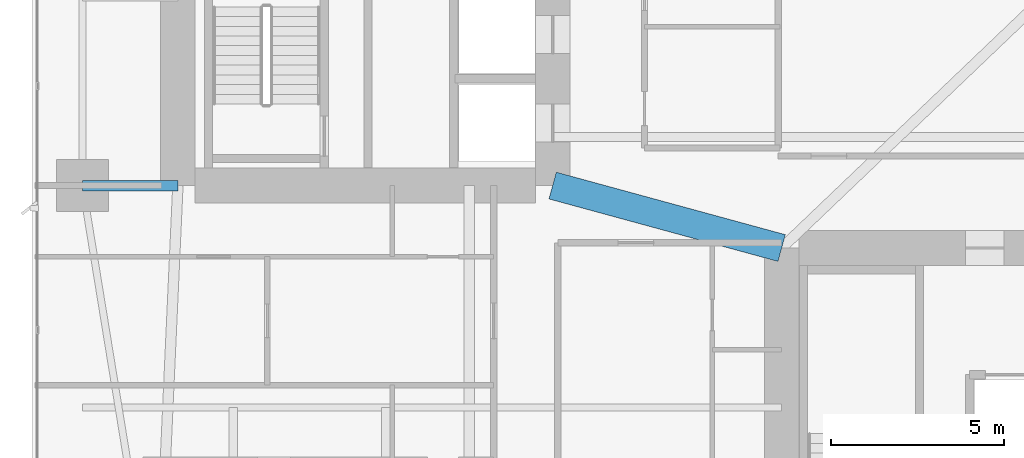
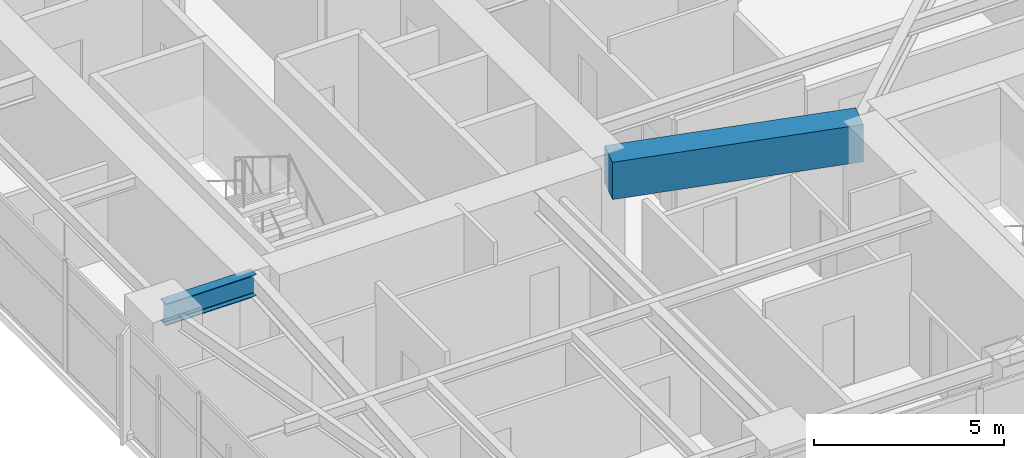
# One storey, part 7 of 29: 2 beams.
"""IFC4 building model written with IfcOpenShell, lengths in metres."""

import ifcopenshell
import ifcopenshell.guid

model = None  # the IFC model being written
_history = None  # IfcOwnerHistory: only IFC2X3 demands one
_inside = {}  # id of a spatial element -> (the spatial element, [elements in it])
_under = {}  # id of a project, library or spatial element -> (it, [spatial elements below it])
_declared = {}  # id of a project -> (the project, [libraries it declares])
_typed = {}  # id of a type object -> (the type object, [elements of that type])
_made_of = {}  # id of a material, layer set ... -> (it, [elements and type objects made of it])


def new_model(schema):
    """Start an empty IFC model of exactly this schema.

    Asked for "IFC4X3", IfcOpenShell would pick the latest addendum, in which some entities
    have other attributes; the version numbers below select the first issue.
    IFC2X3 requires an IfcOwnerHistory on every rooted entity: one is made here for all.
    """
    global model, _history
    if schema == "IFC4X3":
        model = ifcopenshell.file(schema_version=(4, 3, 0, 0))
    else:
        model = ifcopenshell.file(schema=schema)
    _inside.clear()
    _under.clear()
    _declared.clear()
    _typed.clear()
    _made_of.clear()
    _history = None
    if model.schema == "IFC2X3":
        org = make("IfcOrganization", Name="unknown")
        user = make(
            "IfcPersonAndOrganization",
            ThePerson=make("IfcPerson", FamilyName="unknown"),
            TheOrganization=org,
        )
        app = make(
            "IfcApplication",
            ApplicationDeveloper=org,
            Version="unknown",
            ApplicationFullName="unknown",
            ApplicationIdentifier="unknown",
        )
        _history = make(
            "IfcOwnerHistory",
            OwningUser=user,
            OwningApplication=app,
            ChangeAction="ADDED",
            CreationDate=0,
        )
    return model


def make(cls, **values):
    """One entity of the class cls with the attributes given. An attribute that is None is left unset."""
    return model.create_entity(
        cls, **{name: value for name, value in values.items() if value is not None}
    )


def rooted(cls, **values):
    """An entity with a GlobalId (a new one), such as an element, a storey or a relation."""
    return make(cls, GlobalId=ifcopenshell.guid.new(), OwnerHistory=_history, **values)


def si_unit(unit_type, name, prefix=None):
    """IfcSIUnit, for example si_unit("LENGTHUNIT", "METRE", prefix="MILLI")."""
    return make("IfcSIUnit", UnitType=unit_type, Prefix=prefix, Name=name)


def assignment(units):
    """IfcUnitAssignment: the units of a project."""
    return None if units is None else make("IfcUnitAssignment", Units=units)


def point(xyz):
    """IfcCartesianPoint."""
    return None if xyz is None else make("IfcCartesianPoint", Coordinates=xyz)


def direction(xyz):
    """IfcDirection."""
    return None if xyz is None else make("IfcDirection", DirectionRatios=xyz)


def frame(location, z_axis=None, x_axis=None):
    """IfcAxis2Placement3D, a coordinate frame: its origin and axes. An axis left out is left unset."""
    return make(
        "IfcAxis2Placement3D",
        Location=point(location),
        Axis=direction(z_axis),
        RefDirection=direction(x_axis),
    )


def frame_2d(location, x_axis=None):
    """IfcAxis2Placement2D, a coordinate frame in the plane: its origin and x axis."""
    return make(
        "IfcAxis2Placement2D", Location=point(location), RefDirection=direction(x_axis)
    )


def origin():
    """The frame at (0, 0, 0) with its axes left unset."""
    return frame((0.0, 0.0, 0.0))


def origin_2d():
    """The frame at (0, 0) in the plane with its x axis left unset."""
    return frame_2d((0.0, 0.0))


def place(relative_to, where):
    """IfcLocalPlacement: puts the frame where relative to a parent placement (None: the world)."""
    return make(
        "IfcLocalPlacement", PlacementRelTo=relative_to, RelativePlacement=where
    )


def context(
    kind, dimensions, precision=None, world=None, true_north=None, identifier=None
):
    """IfcGeometricRepresentationContext, for example the 3D "Model" context."""
    return make(
        "IfcGeometricRepresentationContext",
        ContextIdentifier=identifier,
        ContextType=kind,
        CoordinateSpaceDimension=dimensions,
        Precision=precision,
        WorldCoordinateSystem=world,
        TrueNorth=true_north,
    )


def subcontext(parent, identifier, kind, view, scale=None):
    """IfcGeometricRepresentationSubContext, for example "Body" below "Model"."""
    return make(
        "IfcGeometricRepresentationSubContext",
        ContextIdentifier=identifier,
        ContextType=kind,
        ParentContext=parent,
        TargetScale=scale,
        TargetView=view,
    )


def project(units=None, contexts=None):
    """IfcProject with its units and contexts."""
    return rooted(
        "IfcProject",
        Name="project",
        RepresentationContexts=contexts,
        UnitsInContext=assignment(units),
    )


def spatial(cls, under=None, at=None, **own):
    """A site, building, storey or space (cls), placed at a placement, below another one or the project."""
    s = rooted(cls, ObjectPlacement=at, **own)
    if under is not None:
        _under.setdefault(under.id(), (under, []))[1].append(s)
    return s


def profile(cls, at=None, kind="AREA", **sizes):
    """A parametric profile (cls). Its sizes go by their IFC names, for example OverallWidth=200.0."""
    return make(cls, ProfileType=kind, Position=at, **sizes)


def rectangle(**sizes):
    """IfcRectangleProfileDef."""
    return profile("IfcRectangleProfileDef", **sizes)


def i_section(**sizes):
    """IfcIShapeProfileDef."""
    return profile("IfcIShapeProfileDef", **sizes)


def extrude(swept, where, along, depth):
    """IfcExtrudedAreaSolid: the profile swept, set in the frame where, extruded along a direction by depth."""
    return make(
        "IfcExtrudedAreaSolid",
        SweptArea=swept,
        Position=where,
        ExtrudedDirection=direction(along),
        Depth=depth,
    )


def shape(context_of_items, identifier, shape_type, items):
    """IfcShapeRepresentation: the items that make up one representation, for example the "Body"."""
    return make(
        "IfcShapeRepresentation",
        ContextOfItems=context_of_items,
        RepresentationIdentifier=identifier,
        RepresentationType=shape_type,
        Items=items,
    )


def material(Name=None, Category=None):
    """IfcMaterial."""
    return make("IfcMaterial", Name=Name, Category=Category)


def material_profile(
    of_material, cross_section, Name=None, Category=None, Priority=None
):
    """IfcMaterialProfile: a cross section and its material."""
    return make(
        "IfcMaterialProfile",
        Name=Name,
        Material=of_material,
        Profile=cross_section,
        Priority=Priority,
        Category=Category,
    )


def profile_set(profiles, Name=None, composite=None):
    """IfcMaterialProfileSet."""
    return make(
        "IfcMaterialProfileSet",
        Name=Name,
        MaterialProfiles=profiles,
        CompositeProfile=composite,
    )


def made_of(thing, what):
    """Note that an element or type object is made of a material, layer set ...; save() writes the relation."""
    if what is not None:
        _made_of.setdefault(what.id(), (what, []))[1].append(thing)
    return thing


def type_object(cls, material=None, **own):
    """A type object (cls), such as IfcWallType, which elements share."""
    return made_of(rooted(cls, **own), material)


def element(
    cls,
    number,
    at=None,
    inside=None,
    cuts=None,
    type_object=None,
    material=None,
    context=None,
    identifier="Body",
    shape_type=None,
    held_by="IfcProductDefinitionShape",
    body=None,
    shapes=None,
    **own,
):
    """One element of the class cls, such as IfcWall. Its Tag is "e" and its number.

    at: its placement. inside: the storey or other place that contains it. cuts: it is an
    opening in that element (IfcRelVoidsElement). A single representation is given by context,
    identifier, shape_type and body (its items); several are given by shapes. held_by: the class
    of the entity that holds the representations. save() writes the other relations.
    """
    e = rooted(cls, Tag="e%d" % number, ObjectPlacement=at, **own)
    if body is not None:
        shapes = [shape(context, identifier, shape_type, body)]
    if shapes is not None:
        e.Representation = make(held_by, Representations=shapes)
    if inside is not None:
        _inside.setdefault(inside.id(), (inside, []))[1].append(e)
    if cuts is not None:
        rooted(
            "IfcRelVoidsElement", RelatingBuildingElement=cuts, RelatedOpeningElement=e
        )
    if type_object is not None:
        _typed.setdefault(type_object.id(), (type_object, []))[1].append(e)
    return made_of(e, material)


def aggregate(whole, parts):
    """IfcRelAggregates: a whole, such as a stair, and the parts it consists of."""
    return rooted("IfcRelAggregates", RelatingObject=whole, RelatedObjects=parts)


def save(model, path):
    """Write the relations noted so far, then the file.

    IfcRelAggregates (storeys below a building ...), IfcRelContainedInSpatialStructure (elements
    in a storey), IfcRelDefinesByType, IfcRelAssociatesMaterial and IfcRelDeclares: one each for
    every whole, place, type object, material and project.
    """
    for whole, parts in _under.values():
        aggregate(whole, parts)
    for where, things in _inside.values():
        rooted(
            "IfcRelContainedInSpatialStructure",
            RelatedElements=things,
            RelatingStructure=where,
        )
    for kind, things in _typed.values():
        rooted("IfcRelDefinesByType", RelatedObjects=things, RelatingType=kind)
    for what, things in _made_of.values():
        rooted("IfcRelAssociatesMaterial", RelatedObjects=things, RelatingMaterial=what)
    for by, libraries in _declared.values():
        rooted("IfcRelDeclares", RelatingContext=by, RelatedDefinitions=libraries)
    model.write(path)


model = new_model("IFC4")

# Units and contexts
model_context = context("Model", 3, precision=1e-05, world=origin(), true_north=direction((0.0, 1.0)))
body_context = subcontext(model_context, "Body", "Model", "MODEL_VIEW")
ifc_project = project(units=[si_unit("LENGTHUNIT", "METRE"), si_unit("AREAUNIT", "SQUARE_METRE"), si_unit("VOLUMEUNIT", "CUBIC_METRE"), si_unit("PLANEANGLEUNIT", "RADIAN"), si_unit("MASSUNIT", "GRAM", prefix="KILO")], contexts=[model_context])

# Site, building, storey
site_placement = place(None, origin())
site = spatial("IfcSite", under=ifc_project, at=site_placement, CompositionType="ELEMENT")
building_placement = place(site_placement, origin())
building = spatial("IfcBuilding", under=site, at=building_placement, Name="Calvorn Quay Hotel", CompositionType="ELEMENT")
storey_placement = place(building_placement, frame((0.0, 0.0, 81.199951171875)))
storey = spatial("IfcBuildingStorey", under=building, at=storey_placement, Name="L19", CompositionType="ELEMENT", Elevation=81.199951171875)

# Beams
ifc_material_1 = material(Name="Steel Q390GJC", Category="steel")
ifc_material_profile_1 = material_profile(ifc_material_1, i_section(OverallWidth=0.300048828125, OverallDepth=0.699951171875, WebThickness=0.012939453125, FlangeThickness=0.02392578125, FilletRadius=0.02392578125, at=origin_2d()), Name="HN700x300x13x24")
ifc_profile_set_1 = profile_set([ifc_material_profile_1], Name="Steel Q390GJC")
beam_type_1 = type_object("IfcBeamType", Name="BM-GIRD-MAIN", PredefinedType="BEAM", material=ifc_profile_set_1)
beam_1_placement = place(storey_placement, frame((1.449951171875, 16.800048828125, 3.18994140625), z_axis=(1.0, 0.0, 0.0), x_axis=(0.0, 1.0, 0.0)))
element("IfcBeam", 1, at=beam_1_placement, inside=storey, type_object=beam_type_1, Name="Beam BG-L19-W1", PredefinedType="BEAM", context=body_context, shape_type="SweptSolid", body=[
    extrude(i_section(OverallWidth=0.300048828125, OverallDepth=0.699951171875, WebThickness=0.012939453125, FlangeThickness=0.02392578125, FilletRadius=0.02392578125, at=origin_2d()), origin(), (0.0, 0.0, 1.0), 2.75),
])
ifc_material_2 = material(Name="Concrete C60", Category="concrete")
ifc_material_profile_2 = material_profile(ifc_material_2, rectangle(XDim=0.800048828125, YDim=1.199951171875, at=origin_2d()), Name="RCB800x1200")
ifc_profile_set_2 = profile_set([ifc_material_profile_2], Name="Concrete C60")
beam_type_2 = type_object("IfcBeamType", Name="BM-RC-LINK-800x1200", PredefinedType="BEAM", material=ifc_profile_set_2)
beam_2_placement = place(storey_placement, frame((15.0, 16.800048828125, 2.93994140625), z_axis=(0.964762997686, -0.263120425462, 0.0), x_axis=(0.263120425462, 0.964762997686, 0.0)))
element("IfcBeam", 2, at=beam_2_placement, inside=storey, type_object=beam_type_2, Name="Beam BCL-L19-01", PredefinedType="BEAM", context=body_context, shape_type="SweptSolid", body=[
    extrude(rectangle(XDim=0.800048828125, YDim=1.199951171875, at=origin_2d()), origin(), (0.0, 0.0, 1.0), 6.841064453125),
])

save(model, "model.ifc")
